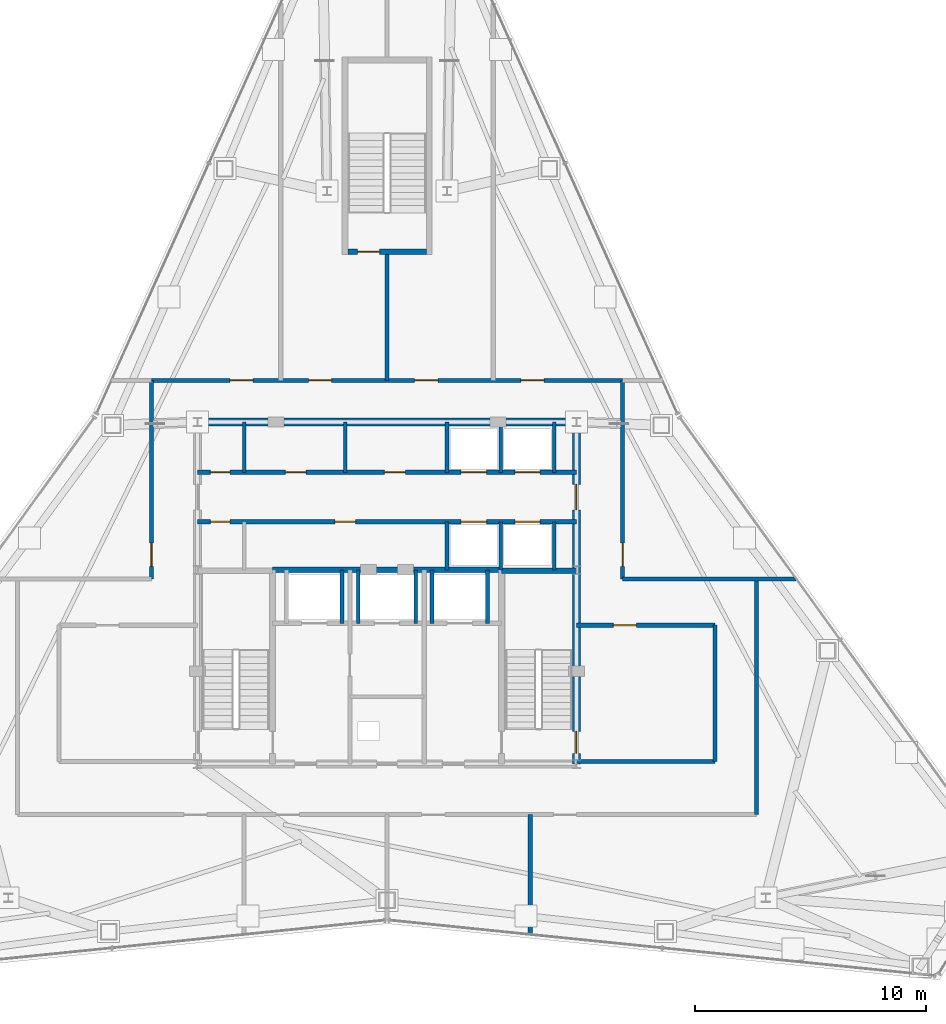
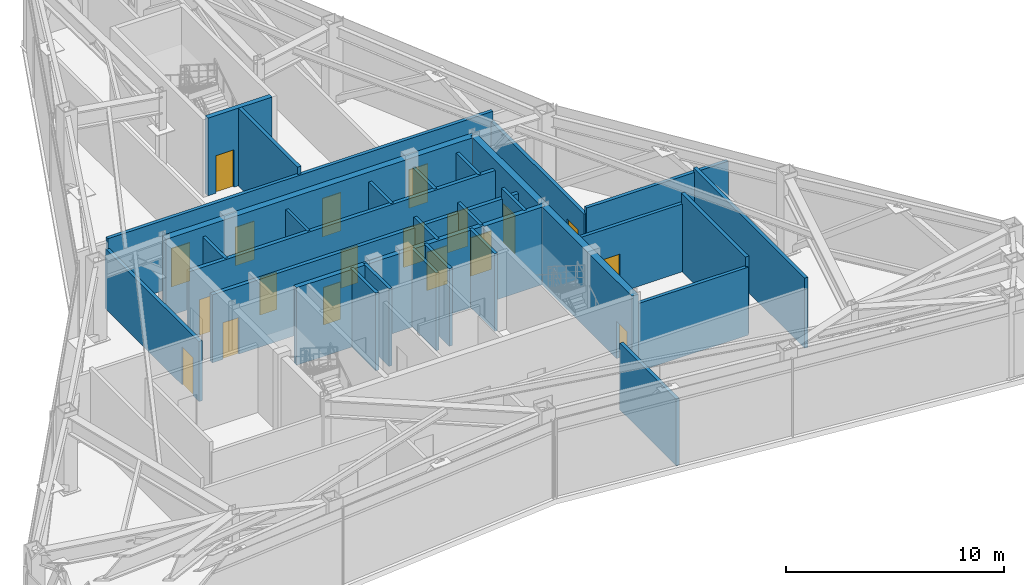
# One storey, part 10 of 12: 30 walls, 19 doors, 19 openings.
"""IFC4 building model written with IfcOpenShell, lengths in metres."""

from ifc_helpers import new_model, si_unit, direction, frame, frame_2d, origin, place, context, subcontext, project, spatial, rectangle, extrude, material, layer, layer_set, type_object, element, fill, save


model = new_model("IFC4")

# Units and contexts
model_context = context("Model", 3, precision=1e-05, world=origin(), true_north=direction((0.0, 1.0)))
body_context = subcontext(model_context, "Body", "Model", "MODEL_VIEW")
ifc_project = project(units=[si_unit("LENGTHUNIT", "METRE"), si_unit("AREAUNIT", "SQUARE_METRE"), si_unit("VOLUMEUNIT", "CUBIC_METRE"), si_unit("PLANEANGLEUNIT", "RADIAN"), si_unit("MASSUNIT", "GRAM", prefix="KILO")], contexts=[model_context])

# Site, building, storey
site_placement = place(None, origin())
site = spatial("IfcSite", under=ifc_project, at=site_placement, CompositionType="ELEMENT")
building_placement = place(site_placement, origin())
building = spatial("IfcBuilding", under=site, at=building_placement, Name="Varakhsha Concourse Tower", CompositionType="ELEMENT")
storey_placement = place(building_placement, frame((0.0, 0.0, 250.39990234375)))
storey = spatial("IfcBuildingStorey", under=building, at=storey_placement, Name="L71", CompositionType="ELEMENT", Elevation=250.39990234375)

# Wall
ifc_material_1 = material(Name="Concrete fc 65 MPa", Category="concrete")
ifc_layer_1 = layer(ifc_material_1, 0.35009765625, Name="WL-CORE-350")
ifc_layer_set_1 = layer_set([ifc_layer_1], Name="Concrete fc 65 MPa")
wall_type_1 = type_object("IfcWallType", Name="WL-CORE-350", PredefinedType="SHEAR", material=ifc_layer_set_1)
wall_1_placement = place(storey_placement, frame((31.800048828125, 31.199951171875, 0.0), z_axis=(0.0, 0.0, 1.0), x_axis=(1.0, 0.0, 0.0)))
element("IfcWall", 1, at=wall_1_placement, inside=storey, type_object=wall_type_1, Name="L71 Wall CWALL-N-L71", PredefinedType="SHEAR", context=body_context, shape_type="SweptSolid", body=[
    extrude(rectangle(XDim=16.39990234375, YDim=0.35009765625, at=frame_2d((8.199951171875, 0.0))), origin(), (0.0, 0.0, 1.0), 4.35009765625),
])

# Wall, openings, doors
wall_2_placement = place(storey_placement, frame((48.199951171875, 16.39990234375, 0.0), z_axis=(0.0, 0.0, 1.0), x_axis=(0.0, 1.0, 0.0)))
wall_2 = element("IfcWall", 2, at=wall_2_placement, inside=storey, type_object=wall_type_1, Name="L71 Wall CWALL-E-L71", PredefinedType="SHEAR", context=body_context, shape_type="SweptSolid", body=[
    extrude(rectangle(XDim=14.800048828125, YDim=0.35009765625, at=frame_2d((7.39990234375, 0.0))), origin(), (0.0, 0.0, 1.0), 4.35009765625),
])
opening_1_placement = place(wall_2_placement, frame((11.0, 0.0, 0.0)))
opening_1 = element("IfcOpeningElement", 3, at=opening_1_placement, cuts=wall_2, Name="Opening DL-01", PredefinedType="OPENING", context=body_context, shape_type="SweptSolid", body=[
    extrude(rectangle(XDim=1.10009765625, YDim=2.14990234375, at=frame_2d((0.550048828125, 1.074951171875))), frame((0.0, 0.18505859375, 0.0), z_axis=(0.0, -1.0, 0.0), x_axis=(1.0, 0.0, 0.0)), (0.0, 0.0, 1.0), 0.3701171875),
])
opening_2_placement = place(wall_2_placement, frame((0.449951171875, 0.0, 0.0)))
opening_2 = element("IfcOpeningElement", 4, at=opening_2_placement, cuts=wall_2, Name="Opening DF-03", PredefinedType="OPENING", context=body_context, shape_type="SweptSolid", body=[
    extrude(rectangle(XDim=0.949951171875, YDim=2.10009765625, at=frame_2d((0.47509765625, 1.050048828125))), frame((0.0, 0.18505859375, 0.0), z_axis=(0.0, -1.0, 0.0), x_axis=(1.0, 0.0, 0.0)), (0.0, 0.0, 1.0), 0.3701171875),
])
ifc_material_2 = material(Name="Hollow Galvanised Steel Fire Door Assembly", Category="steel")
door_type_1 = type_object("IfcDoorType", Name="DR-FD90-950", OperationType="NOTDEFINED", PredefinedType="DOOR", material=ifc_material_2)
door_1_placement = place(opening_2_placement, origin())
door_1 = element("IfcDoor", 5, at=door_1_placement, inside=storey, type_object=door_type_1, Name="L71 Area of Refuge East Stair ST2 Door", OperationType="SINGLE_SWING_RIGHT", OverallHeight=2.10009765625, OverallWidth=0.949951171875, PredefinedType="DOOR", context=body_context, shape_type="SweptSolid", body=[
    extrude(rectangle(XDim=0.949951171875, YDim=2.10009765625, at=frame_2d((0.47509765625, 1.050048828125))), frame((0.0, 0.02490234375, 0.0), z_axis=(0.0, -1.0, 0.0), x_axis=(1.0, 0.0, 0.0)), (0.0, 0.0, 1.0), 0.050048828125),
])
fill(opening_2, door_1)
ifc_material_3 = material(Name="Anodised Bronze Architectural Aluminium AA 6063-T6", Category="aluminium")
door_type_2 = type_object("IfcDoorType", Name="DR-LOB-1100", OperationType="NOTDEFINED", PredefinedType="DOOR", material=ifc_material_3)
door_2_placement = place(opening_1_placement, origin())
door_2 = element("IfcDoor", 6, at=door_2_placement, inside=storey, type_object=door_type_2, Name="L71 Lift Lobby East Concourse Door", OperationType="SINGLE_SWING_RIGHT", OverallHeight=2.14990234375, OverallWidth=1.10009765625, PredefinedType="DOOR", context=body_context, shape_type="SweptSolid", body=[
    extrude(rectangle(XDim=1.10009765625, YDim=2.14990234375, at=frame_2d((0.550048828125, 1.074951171875))), frame((0.0, 0.02490234375, 0.0), z_axis=(0.0, -1.0, 0.0), x_axis=(1.0, 0.0, 0.0)), (0.0, 0.0, 1.0), 0.050048828125),
])
fill(opening_1, door_2)

# Wall
ifc_material_4 = material(Name="Fire-Rated Type X Gypsum Partition Assembly", Category="gypsum")
ifc_layer_2 = layer(ifc_material_4, 0.14990234375, Name="WL-PART-150")
ifc_layer_set_2 = layer_set([ifc_layer_2], Name="Fire-Rated Type X Gypsum Partition Assembly")
wall_type_2 = type_object("IfcWallType", Name="WL-PART-150", PredefinedType="PARTITIONING", material=ifc_layer_set_2)
wall_3_placement = place(storey_placement, frame((38.199951171875, 29.02001953125, 0.0), z_axis=(0.0, 0.0, 1.0), x_axis=(0.0, 1.0, 0.0)))
element("IfcWall", 7, at=wall_3_placement, inside=storey, type_object=wall_type_2, Name="L71 Wall P1F-D1-L71", PredefinedType="PARTITIONING", context=body_context, shape_type="SweptSolid", body=[
    extrude(rectangle(XDim=2.179931640625, YDim=0.14990234375, at=frame_2d((1.08984375, 0.0))), origin(), (0.0, 0.0, 1.0), 3.80517578125),
])

# Wall, opening, door
ifc_layer_3 = layer(ifc_material_4, 0.179931640625, Name="WL-PART-180")
ifc_layer_set_3 = layer_set([ifc_layer_3], Name="Fire-Rated Type X Gypsum Partition Assembly")
wall_type_3 = type_object("IfcWallType", Name="WL-PART-180", PredefinedType="PARTITIONING", material=ifc_layer_set_3)
wall_4_placement = place(storey_placement, frame((29.800048828125, 24.39990234375, 0.0), z_axis=(0.0, 0.0, 1.0), x_axis=(0.0, 1.0, 0.0)))
wall_4 = element("IfcWall", 8, at=wall_4_placement, inside=storey, type_object=wall_type_3, Name="L71 Wall PCW-WW-L71", PredefinedType="PARTITIONING", context=body_context, shape_type="SweptSolid", body=[
    extrude(rectangle(XDim=8.60009765625, YDim=0.179931640625, at=frame_2d((4.300048828125, 0.0))), origin(), (0.0, 0.0, 1.0), 3.364990234375),
])
opening_3_placement = place(wall_4_placement, frame((0.550048828125, 0.0, 0.0)))
opening_3 = element("IfcOpeningElement", 9, at=opening_3_placement, cuts=wall_4, Name="Opening DF-04", PredefinedType="OPENING", context=body_context, shape_type="SweptSolid", body=[
    extrude(rectangle(XDim=1.0, YDim=2.14990234375, at=frame_2d((0.5, 1.074951171875))), frame((0.0, 0.099853515625, 0.0), z_axis=(0.0, -1.0, 0.0), x_axis=(1.0, 0.0, 0.0)), (0.0, 0.0, 1.0), 0.199951171875),
])
door_type_3 = type_object("IfcDoorType", Name="DR-FD60-1000", OperationType="NOTDEFINED", PredefinedType="DOOR", material=ifc_material_2)
door_3_placement = place(opening_3_placement, origin())
door_3 = element("IfcDoor", 10, at=door_3_placement, inside=storey, type_object=door_type_3, Name="L71 West AHU and Smoke Exhaust Plant Room Door", OperationType="SINGLE_SWING_LEFT", OverallHeight=2.14990234375, OverallWidth=1.0, PredefinedType="DOOR", context=body_context, shape_type="SweptSolid", body=[
    extrude(rectangle(XDim=1.0, YDim=2.14990234375, at=frame_2d((0.5, 1.074951171875))), frame((0.0, 0.02490234375, 0.0), z_axis=(0.0, -1.0, 0.0), x_axis=(1.0, 0.0, 0.0)), (0.0, 0.0, 1.0), 0.050048828125),
])
fill(opening_3, door_3)

# Wall, openings, doors
wall_5_placement = place(storey_placement, frame((29.800048828125, 33.0, 0.0), z_axis=(0.0, 0.0, 1.0), x_axis=(1.0, 0.0, 0.0)))
wall_5 = element("IfcWall", 11, at=wall_5_placement, inside=storey, type_object=wall_type_3, Name="L71 Wall PCW-N-L71", PredefinedType="PARTITIONING", context=body_context, shape_type="SweptSolid", body=[
    extrude(rectangle(XDim=20.39990234375, YDim=0.179931640625, at=frame_2d((10.199951171875, 0.0))), origin(), (0.0, 0.0, 1.0), 3.93310546875),
])
opening_4_placement = place(wall_5_placement, frame((3.39990234375, 0.0, 0.0)))
opening_4 = element("IfcOpeningElement", 12, at=opening_4_placement, cuts=wall_5, Name="Opening DF-04", PredefinedType="OPENING", context=body_context, shape_type="SweptSolid", body=[
    extrude(rectangle(XDim=1.0, YDim=2.14990234375, at=frame_2d((0.5, 1.074951171875))), frame((0.0, 0.099853515625, 0.0), z_axis=(0.0, -1.0, 0.0), x_axis=(1.0, 0.0, 0.0)), (0.0, 0.0, 1.0), 0.199951171875),
])
opening_5_placement = place(wall_5_placement, frame((6.800048828125, 0.0, 0.0)))
opening_5 = element("IfcOpeningElement", 13, at=opening_5_placement, cuts=wall_5, Name="Opening DF-04", PredefinedType="OPENING", context=body_context, shape_type="SweptSolid", body=[
    extrude(rectangle(XDim=1.0, YDim=2.14990234375, at=frame_2d((0.5, 1.074951171875))), frame((0.0, 0.099853515625, 0.0), z_axis=(0.0, -1.0, 0.0), x_axis=(1.0, 0.0, 0.0)), (0.0, 0.0, 1.0), 0.199951171875),
])
opening_6_placement = place(wall_5_placement, frame((11.39990234375, 0.0, 0.0)))
opening_6 = element("IfcOpeningElement", 14, at=opening_6_placement, cuts=wall_5, Name="Opening DF-04", PredefinedType="OPENING", context=body_context, shape_type="SweptSolid", body=[
    extrude(rectangle(XDim=1.0, YDim=2.14990234375, at=frame_2d((0.5, 1.074951171875))), frame((0.0, 0.099853515625, 0.0), z_axis=(0.0, -1.0, 0.0), x_axis=(1.0, 0.0, 0.0)), (0.0, 0.0, 1.0), 0.199951171875),
])
opening_7_placement = place(wall_5_placement, frame((16.0, 0.0, 0.0)))
opening_7 = element("IfcOpeningElement", 15, at=opening_7_placement, cuts=wall_5, Name="Opening DF-04", PredefinedType="OPENING", context=body_context, shape_type="SweptSolid", body=[
    extrude(rectangle(XDim=1.0, YDim=2.14990234375, at=frame_2d((0.5, 1.074951171875))), frame((0.0, 0.099853515625, 0.0), z_axis=(0.0, -1.0, 0.0), x_axis=(1.0, 0.0, 0.0)), (0.0, 0.0, 1.0), 0.199951171875),
])
door_4_placement = place(opening_4_placement, origin())
door_4 = element("IfcDoor", 16, at=door_4_placement, inside=storey, type_object=door_type_3, Name="L71 West Zonal HV Switchgear Plant Room Door", OperationType="SINGLE_SWING_LEFT", OverallHeight=2.14990234375, OverallWidth=1.0, PredefinedType="DOOR", context=body_context, shape_type="SweptSolid", body=[
    extrude(rectangle(XDim=1.0, YDim=2.14990234375, at=frame_2d((0.5, 1.074951171875))), frame((0.0, 0.02490234375, 0.0), z_axis=(0.0, -1.0, 0.0), x_axis=(1.0, 0.0, 0.0)), (0.0, 0.0, 1.0), 0.050048828125),
])
fill(opening_4, door_4)
door_5_placement = place(opening_5_placement, origin())
door_5 = element("IfcDoor", 17, at=door_5_placement, inside=storey, type_object=door_type_3, Name="L71 Step-Down Transformer Mechanical Plant Room Door", OperationType="SINGLE_SWING_LEFT", OverallHeight=2.14990234375, OverallWidth=1.0, PredefinedType="DOOR", context=body_context, shape_type="SweptSolid", body=[
    extrude(rectangle(XDim=1.0, YDim=2.14990234375, at=frame_2d((0.5, 1.074951171875))), frame((0.0, 0.02490234375, 0.0), z_axis=(0.0, -1.0, 0.0), x_axis=(1.0, 0.0, 0.0)), (0.0, 0.0, 1.0), 0.050048828125),
])
fill(opening_5, door_5)
door_6_placement = place(opening_6_placement, origin())
door_6 = element("IfcDoor", 18, at=door_6_placement, inside=storey, type_object=door_type_3, Name="L71 UPS Battery Inverter Mechanical Plant Room Door", OperationType="SINGLE_SWING_LEFT", OverallHeight=2.14990234375, OverallWidth=1.0, PredefinedType="DOOR", context=body_context, shape_type="SweptSolid", body=[
    extrude(rectangle(XDim=1.0, YDim=2.14990234375, at=frame_2d((0.5, 1.074951171875))), frame((0.0, 0.02490234375, 0.0), z_axis=(0.0, -1.0, 0.0), x_axis=(1.0, 0.0, 0.0)), (0.0, 0.0, 1.0), 0.050048828125),
])
fill(opening_6, door_6)
door_7_placement = place(opening_7_placement, origin())
door_7 = element("IfcDoor", 19, at=door_7_placement, inside=storey, type_object=door_type_3, Name="L71 Emergency Generator Control Plant Room Door", OperationType="SINGLE_SWING_LEFT", OverallHeight=2.14990234375, OverallWidth=1.0, PredefinedType="DOOR", context=body_context, shape_type="SweptSolid", body=[
    extrude(rectangle(XDim=1.0, YDim=2.14990234375, at=frame_2d((0.5, 1.074951171875))), frame((0.0, 0.02490234375, 0.0), z_axis=(0.0, -1.0, 0.0), x_axis=(1.0, 0.0, 0.0)), (0.0, 0.0, 1.0), 0.050048828125),
])
fill(opening_7, door_7)

# Wall, opening, door
wall_6_placement = place(storey_placement, frame((50.199951171875, 24.39990234375, 0.0), z_axis=(0.0, 0.0, 1.0), x_axis=(0.0, 1.0, 0.0)))
wall_6 = element("IfcWall", 20, at=wall_6_placement, inside=storey, type_object=wall_type_3, Name="L71 Wall PCW-EE-L71", PredefinedType="PARTITIONING", context=body_context, shape_type="SweptSolid", body=[
    extrude(rectangle(XDim=8.60009765625, YDim=0.179931640625, at=frame_2d((4.300048828125, 0.0))), origin(), (0.0, 0.0, 1.0), 3.364990234375),
])
opening_8_placement = place(wall_6_placement, frame((0.550048828125, 0.0, 0.0)))
opening_8 = element("IfcOpeningElement", 21, at=opening_8_placement, cuts=wall_6, Name="Opening DF-04", PredefinedType="OPENING", context=body_context, shape_type="SweptSolid", body=[
    extrude(rectangle(XDim=1.0, YDim=2.14990234375, at=frame_2d((0.5, 1.074951171875))), frame((0.0, 0.099853515625, 0.0), z_axis=(0.0, -1.0, 0.0), x_axis=(1.0, 0.0, 0.0)), (0.0, 0.0, 1.0), 0.199951171875),
])
door_8_placement = place(opening_8_placement, origin())
door_8 = element("IfcDoor", 22, at=door_8_placement, inside=storey, type_object=door_type_3, Name="L71 East Booster and Fire Standpipe Pump Plant Room Door", OperationType="SINGLE_SWING_LEFT", OverallHeight=2.14990234375, OverallWidth=1.0, PredefinedType="DOOR", context=body_context, shape_type="SweptSolid", body=[
    extrude(rectangle(XDim=1.0, YDim=2.14990234375, at=frame_2d((0.5, 1.074951171875))), frame((0.0, 0.02490234375, 0.0), z_axis=(0.0, -1.0, 0.0), x_axis=(1.0, 0.0, 0.0)), (0.0, 0.0, 1.0), 0.050048828125),
])
fill(opening_8, door_8)

# Walls
wall_7_placement = place(storey_placement, frame((56.0, 14.199951171875, 0.0), z_axis=(0.0, 0.0, 1.0), x_axis=(0.0, 1.0, 0.0)))
element("IfcWall", 23, at=wall_7_placement, inside=storey, type_object=wall_type_3, Name="L71 Wall PCW-ES-L71", PredefinedType="PARTITIONING", context=body_context, shape_type="SweptSolid", body=[
    extrude(rectangle(XDim=10.199951171875, YDim=0.179931640625, at=frame_2d((5.10009765625, 0.0))), origin(), (0.0, 0.0, 1.0), 3.93310546875),
])
wall_8_placement = place(storey_placement, frame((48.199951171875, 16.5, 0.0), z_axis=(0.0, 0.0, 1.0), x_axis=(1.0, 0.0, 0.0)))
element("IfcWall", 24, at=wall_8_placement, inside=storey, type_object=wall_type_3, Name="L71 Wall REFW-ES-L71", PredefinedType="PARTITIONING", context=body_context, shape_type="SweptSolid", body=[
    extrude(rectangle(XDim=6.0, YDim=0.179931640625, at=frame_2d((3.0, 0.0))), origin(), (0.0, 0.0, 1.0), 3.80517578125),
])

# Wall, opening, door
wall_9_placement = place(storey_placement, frame((48.199951171875, 22.39990234375, 0.0), z_axis=(0.0, 0.0, 1.0), x_axis=(1.0, 0.0, 0.0)))
wall_9 = element("IfcWall", 25, at=wall_9_placement, inside=storey, type_object=wall_type_3, Name="L71 Wall REFW-EN-L71", PredefinedType="PARTITIONING", context=body_context, shape_type="SweptSolid", body=[
    extrude(rectangle(XDim=6.0, YDim=0.179931640625, at=frame_2d((3.0, 0.0))), origin(), (0.0, 0.0, 1.0), 3.80517578125),
])
opening_9_placement = place(wall_9_placement, frame((1.60009765625, 0.0, 0.0)))
opening_9 = element("IfcOpeningElement", 26, at=opening_9_placement, cuts=wall_9, Name="Opening DF-04", PredefinedType="OPENING", context=body_context, shape_type="SweptSolid", body=[
    extrude(rectangle(XDim=1.0, YDim=2.14990234375, at=frame_2d((0.5, 1.074951171875))), frame((0.0, 0.099853515625, 0.0), z_axis=(0.0, -1.0, 0.0), x_axis=(1.0, 0.0, 0.0)), (0.0, 0.0, 1.0), 0.199951171875),
])
door_9_placement = place(opening_9_placement, origin())
door_9 = element("IfcDoor", 27, at=door_9_placement, inside=storey, type_object=door_type_3, Name="L71 Area of Refuge East Lobby Door", OperationType="SINGLE_SWING_RIGHT", OverallHeight=2.14990234375, OverallWidth=1.0, PredefinedType="DOOR", context=body_context, shape_type="SweptSolid", body=[
    extrude(rectangle(XDim=1.0, YDim=2.14990234375, at=frame_2d((0.5, 1.074951171875))), frame((0.0, 0.02490234375, 0.0), z_axis=(0.0, -1.0, 0.0), x_axis=(1.0, 0.0, 0.0)), (0.0, 0.0, 1.0), 0.050048828125),
])
fill(opening_9, door_9)

# Walls
wall_10_placement = place(storey_placement, frame((54.199951171875, 16.5, 0.0), z_axis=(0.0, 0.0, 1.0), x_axis=(0.0, 1.0, 0.0)))
element("IfcWall", 28, at=wall_10_placement, inside=storey, type_object=wall_type_3, Name="L71 Wall REFW-EE-L71", PredefinedType="PARTITIONING", context=body_context, shape_type="SweptSolid", body=[
    extrude(rectangle(XDim=5.89990234375, YDim=0.179931640625, at=frame_2d((2.949951171875, 0.0))), origin(), (0.0, 0.0, 1.0), 4.35009765625),
])
wall_11_placement = place(storey_placement, frame((50.199951171875, 24.39990234375, 0.0), z_axis=(0.0, 0.0, 1.0), x_axis=(1.0, 0.0, 0.0)))
element("IfcWall", 29, at=wall_11_placement, inside=storey, type_object=wall_type_3, Name="L71 Wall PDIV-ES-L71", PredefinedType="PARTITIONING", context=body_context, shape_type="SweptSolid", body=[
    extrude(rectangle(XDim=7.515380859375, YDim=0.179931640625, at=frame_2d((3.7578125, 0.0))), origin(), (0.0, 0.0, 1.0), 3.72802734375),
])
wall_12_placement = place(storey_placement, frame((46.199951171875, 9.010986328125, 0.0), z_axis=(0.0, 0.0, 1.0), x_axis=(0.0, 1.0, 0.0)))
element("IfcWall", 30, at=wall_12_placement, inside=storey, type_object=wall_type_3, Name="L71 Wall PDIV-S3-L71", PredefinedType="PARTITIONING", context=body_context, shape_type="SweptSolid", body=[
    extrude(rectangle(XDim=5.18896484375, YDim=0.179931640625, at=frame_2d((2.594482421875, 0.0))), origin(), (0.0, 0.0, 1.0), 3.72802734375),
])
wall_13_placement = place(storey_placement, frame((40.0, 33.0, 0.0), z_axis=(0.0, 0.0, 1.0), x_axis=(0.0, 1.0, 0.0)))
element("IfcWall", 31, at=wall_13_placement, inside=storey, type_object=wall_type_3, Name="L71 Wall PDIV-N2-L71", PredefinedType="PARTITIONING", context=body_context, shape_type="SweptSolid", body=[
    extrude(rectangle(XDim=5.449951171875, YDim=0.179931640625, at=frame_2d((2.72509765625, 0.0))), origin(), (0.0, 0.0, 1.0), 4.35009765625),
])
ifc_layer_4 = layer(ifc_material_4, 0.199951171875, Name="WL-SHAFT-220")
ifc_layer_set_4 = layer_set([ifc_layer_4], Name="Fire-Rated Type X Gypsum Partition Assembly")
wall_type_4 = type_object("IfcWallType", Name="WL-SHAFT-220", PredefinedType="SOLIDWALL", material=ifc_layer_set_4)
for number, where, z_axis, x_axis, name in (
    (32, (38.050048828125, 22.47998046875, 0.0), (0.0, 0.0, 1.0), (0.0, 1.0, 0.0), "L71 Wall SHW-FFL-1-E-L71"),
    (33, (41.949951171875, 22.47998046875, 0.0), (0.0, 0.0, 1.0), (0.0, 1.0, 0.0), "L71 Wall SHW-FFL-2-W-L71"),
    (34, (44.35009765625, 22.47998046875, 0.0), (0.0, 0.0, 1.0), (0.0, 1.0, 0.0), "L71 Wall SHW-FFL-2-E-L71"),
    (35, (38.75, 22.47998046875, 0.0), (0.0, 0.0, 1.0), (0.0, 1.0, 0.0), "L71 Wall SHW-SVL-1-W-L71"),
    (36, (41.25, 22.47998046875, 0.0), (0.0, 0.0, 1.0), (0.0, 1.0, 0.0), "L71 Wall SHW-SVL-1-E-L71"),
):
    element("IfcWall", number, at=place(storey_placement, frame(where, z_axis=z_axis, x_axis=x_axis)), inside=storey, type_object=wall_type_4, Name=name, PredefinedType="SOLIDWALL", context=body_context, shape_type="SweptSolid", body=[
        extrude(rectangle(XDim=2.320068359375, YDim=0.159912109375, at=frame_2d((1.16015625, 0.0))), origin(), (0.0, 0.0, 1.0), 4.35009765625),
    ])

# Wall, openings, doors
wall_14_placement = place(storey_placement, frame((31.800048828125, 29.02001953125, 0.0), z_axis=(0.0, 0.0, 1.0), x_axis=(1.0, 0.0, 0.0)))
wall_14 = element("IfcWall", 37, at=wall_14_placement, inside=storey, type_object=wall_type_4, Name="L71 Wall PLW-N-L71", PredefinedType="SOLIDWALL", context=body_context, shape_type="SweptSolid", body=[
    extrude(rectangle(XDim=16.39990234375, YDim=0.199951171875, at=frame_2d((8.199951171875, 0.0))), origin(), (0.0, 0.0, 1.0), 3.80517578125),
])
opening_10_placement = place(wall_14_placement, frame((0.550048828125, 0.0, 0.0)))
opening_10 = element("IfcOpeningElement", 38, at=opening_10_placement, cuts=wall_14, Name="Opening DF-07", PredefinedType="OPENING", context=body_context, shape_type="SweptSolid", body=[
    extrude(rectangle(XDim=0.85009765625, YDim=2.050048828125, at=frame_2d((0.425048828125, 1.02490234375))), frame((0.0, 0.10986328125, 0.0), z_axis=(0.0, -1.0, 0.0), x_axis=(1.0, 0.0, 0.0)), (0.0, 0.0, 1.0), 0.219970703125),
])
opening_11_placement = place(wall_14_placement, frame((3.800048828125, 0.0, 0.0)))
opening_11 = element("IfcOpeningElement", 39, at=opening_11_placement, cuts=wall_14, Name="Opening DF-06", PredefinedType="OPENING", context=body_context, shape_type="SweptSolid", body=[
    extrude(rectangle(XDim=0.89990234375, YDim=2.10009765625, at=frame_2d((0.449951171875, 1.050048828125))), frame((0.0, 0.10986328125, 0.0), z_axis=(0.0, -1.0, 0.0), x_axis=(1.0, 0.0, 0.0)), (0.0, 0.0, 1.0), 0.219970703125),
])
opening_12_placement = place(wall_14_placement, frame((8.090087890625, 0.0, 0.0)))
opening_12 = element("IfcOpeningElement", 40, at=opening_12_placement, cuts=wall_14, Name="Opening DF-06", PredefinedType="OPENING", context=body_context, shape_type="SweptSolid", body=[
    extrude(rectangle(XDim=0.89990234375, YDim=2.10009765625, at=frame_2d((0.449951171875, 1.050048828125))), frame((0.0, 0.10986328125, 0.0), z_axis=(0.0, -1.0, 0.0), x_axis=(1.0, 0.0, 0.0)), (0.0, 0.0, 1.0), 0.219970703125),
])
opening_13_placement = place(wall_14_placement, frame((11.409912109375, 0.0, 0.0)))
opening_13 = element("IfcOpeningElement", 41, at=opening_13_placement, cuts=wall_14, Name="Opening LD-LF-P09", PredefinedType="OPENING", context=body_context, shape_type="SweptSolid", body=[
    extrude(rectangle(XDim=1.10009765625, YDim=2.14990234375, at=frame_2d((0.550048828125, 1.074951171875))), frame((0.0, 0.10986328125, 0.0), z_axis=(0.0, -1.0, 0.0), x_axis=(1.0, 0.0, 0.0)), (0.0, 0.0, 1.0), 0.219970703125),
])
opening_14_placement = place(wall_14_placement, frame((13.72998046875, 0.0, 0.0)))
opening_14 = element("IfcOpeningElement", 42, at=opening_14_placement, cuts=wall_14, Name="Opening LD-LF-P10", PredefinedType="OPENING", context=body_context, shape_type="SweptSolid", body=[
    extrude(rectangle(XDim=1.10009765625, YDim=2.14990234375, at=frame_2d((0.550048828125, 1.074951171875))), frame((0.0, 0.10986328125, 0.0), z_axis=(0.0, -1.0, 0.0), x_axis=(1.0, 0.0, 0.0)), (0.0, 0.0, 1.0), 0.219970703125),
])
door_type_4 = type_object("IfcDoorType", Name="DR-FD60-850", OperationType="NOTDEFINED", PredefinedType="DOOR", material=ifc_material_2)
door_10_placement = place(opening_10_placement, origin())
door_10 = element("IfcDoor", 43, at=door_10_placement, inside=storey, type_object=door_type_4, Name="L71 Core Janitor Closet Door", OperationType="SINGLE_SWING_LEFT", OverallHeight=2.050048828125, OverallWidth=0.85009765625, PredefinedType="DOOR", context=body_context, shape_type="SweptSolid", body=[
    extrude(rectangle(XDim=0.85009765625, YDim=2.050048828125, at=frame_2d((0.425048828125, 1.02490234375))), frame((0.0, 0.02490234375, 0.0), z_axis=(0.0, -1.0, 0.0), x_axis=(1.0, 0.0, 0.0)), (0.0, 0.0, 1.0), 0.050048828125),
])
fill(opening_10, door_10)
door_type_5 = type_object("IfcDoorType", Name="DR-FD60-900", OperationType="NOTDEFINED", PredefinedType="DOOR", material=ifc_material_2)
door_11_placement = place(opening_11_placement, origin())
door_11 = element("IfcDoor", 44, at=door_11_placement, inside=storey, type_object=door_type_5, Name="L71 Tenant Archive and IT Server Room Door", OperationType="SINGLE_SWING_LEFT", OverallHeight=2.10009765625, OverallWidth=0.89990234375, PredefinedType="DOOR", context=body_context, shape_type="SweptSolid", body=[
    extrude(rectangle(XDim=0.89990234375, YDim=2.10009765625, at=frame_2d((0.449951171875, 1.050048828125))), frame((0.0, 0.02490234375, 0.0), z_axis=(0.0, -1.0, 0.0), x_axis=(1.0, 0.0, 0.0)), (0.0, 0.0, 1.0), 0.050048828125),
])
fill(opening_11, door_11)
door_12_placement = place(opening_12_placement, origin())
door_12 = element("IfcDoor", 45, at=door_12_placement, inside=storey, type_object=door_type_5, Name="L71 Core Facility Closet N1 Door", OperationType="SINGLE_SWING_RIGHT", OverallHeight=2.10009765625, OverallWidth=0.89990234375, PredefinedType="DOOR", context=body_context, shape_type="SweptSolid", body=[
    extrude(rectangle(XDim=0.89990234375, YDim=2.10009765625, at=frame_2d((0.449951171875, 1.050048828125))), frame((0.0, 0.02490234375, 0.0), z_axis=(0.0, -1.0, 0.0), x_axis=(1.0, 0.0, 0.0)), (0.0, 0.0, 1.0), 0.050048828125),
])
fill(opening_12, door_12)
ifc_material_5 = material(Name="Brushed Austenitic Stainless Steel AISI 316", Category="steel")
door_type_6 = type_object("IfcDoorType", Name="DR-LD-1100", OperationType="DOUBLE_DOOR_SLIDING", PredefinedType="DOOR", material=ifc_material_5)
door_13_placement = place(opening_13_placement, origin())
door_13 = element("IfcDoor", 46, at=door_13_placement, inside=storey, type_object=door_type_6, Name="Lift Landing Door LF-P09 L71", OperationType="DOUBLE_DOOR_SLIDING", OverallHeight=2.14990234375, OverallWidth=1.10009765625, PredefinedType="DOOR", context=body_context, shape_type="SweptSolid", body=[
    extrude(rectangle(XDim=1.10009765625, YDim=2.14990234375, at=frame_2d((0.550048828125, 1.074951171875))), frame((0.0, 0.02490234375, 0.0), z_axis=(0.0, -1.0, 0.0), x_axis=(1.0, 0.0, 0.0)), (0.0, 0.0, 1.0), 0.050048828125),
])
fill(opening_13, door_13)
door_14_placement = place(opening_14_placement, origin())
door_14 = element("IfcDoor", 47, at=door_14_placement, inside=storey, type_object=door_type_6, Name="Lift Landing Door LF-P10 L71", OperationType="DOUBLE_DOOR_SLIDING", OverallHeight=2.14990234375, OverallWidth=1.10009765625, PredefinedType="DOOR", context=body_context, shape_type="SweptSolid", body=[
    extrude(rectangle(XDim=1.10009765625, YDim=2.14990234375, at=frame_2d((0.550048828125, 1.074951171875))), frame((0.0, 0.02490234375, 0.0), z_axis=(0.0, -1.0, 0.0), x_axis=(1.0, 0.0, 0.0)), (0.0, 0.0, 1.0), 0.050048828125),
])
fill(opening_14, door_14)

wall_15_placement = place(storey_placement, frame((31.800048828125, 26.8798828125, 0.0), z_axis=(0.0, 0.0, 1.0), x_axis=(1.0, 0.0, 0.0)))
wall_15 = element("IfcWall", 48, at=wall_15_placement, inside=storey, type_object=wall_type_4, Name="L71 Wall PLW-S-L71", PredefinedType="SOLIDWALL", context=body_context, shape_type="SweptSolid", body=[
    extrude(rectangle(XDim=16.39990234375, YDim=0.199951171875, at=frame_2d((8.199951171875, 0.0))), origin(), (0.0, 0.0, 1.0), 3.80517578125),
])
opening_15_placement = place(wall_15_placement, frame((0.550048828125, 0.0, 0.0)))
opening_15 = element("IfcOpeningElement", 49, at=opening_15_placement, cuts=wall_15, Name="Opening DF-07", PredefinedType="OPENING", context=body_context, shape_type="SweptSolid", body=[
    extrude(rectangle(XDim=0.85009765625, YDim=2.050048828125, at=frame_2d((0.425048828125, 1.02490234375))), frame((0.0, 0.10986328125, 0.0), z_axis=(0.0, -1.0, 0.0), x_axis=(1.0, 0.0, 0.0)), (0.0, 0.0, 1.0), 0.219970703125),
])
opening_16_placement = place(wall_15_placement, frame((5.93994140625, 0.0, 0.0)))
opening_16 = element("IfcOpeningElement", 50, at=opening_16_placement, cuts=wall_15, Name="Opening DF-06", PredefinedType="OPENING", context=body_context, shape_type="SweptSolid", body=[
    extrude(rectangle(XDim=0.89990234375, YDim=2.10009765625, at=frame_2d((0.449951171875, 1.050048828125))), frame((0.0, 0.10986328125, 0.0), z_axis=(0.0, -1.0, 0.0), x_axis=(1.0, 0.0, 0.0)), (0.0, 0.0, 1.0), 0.219970703125),
])
opening_17_placement = place(wall_15_placement, frame((11.409912109375, 0.0, 0.0)))
opening_17 = element("IfcOpeningElement", 51, at=opening_17_placement, cuts=wall_15, Name="Opening LD-LF-P11", PredefinedType="OPENING", context=body_context, shape_type="SweptSolid", body=[
    extrude(rectangle(XDim=1.10009765625, YDim=2.14990234375, at=frame_2d((0.550048828125, 1.074951171875))), frame((0.0, 0.10986328125, 0.0), z_axis=(0.0, -1.0, 0.0), x_axis=(1.0, 0.0, 0.0)), (0.0, 0.0, 1.0), 0.219970703125),
])
opening_18_placement = place(wall_15_placement, frame((13.72998046875, 0.0, 0.0)))
opening_18 = element("IfcOpeningElement", 52, at=opening_18_placement, cuts=wall_15, Name="Opening LD-LF-P12", PredefinedType="OPENING", context=body_context, shape_type="SweptSolid", body=[
    extrude(rectangle(XDim=1.10009765625, YDim=2.14990234375, at=frame_2d((0.550048828125, 1.074951171875))), frame((0.0, 0.10986328125, 0.0), z_axis=(0.0, -1.0, 0.0), x_axis=(1.0, 0.0, 0.0)), (0.0, 0.0, 1.0), 0.219970703125),
])
door_15_placement = place(opening_15_placement, origin())
door_15 = element("IfcDoor", 53, at=door_15_placement, inside=storey, type_object=door_type_4, Name="L71 Core Telecoms Closet Door", OperationType="SINGLE_SWING_RIGHT", OverallHeight=2.050048828125, OverallWidth=0.85009765625, PredefinedType="DOOR", context=body_context, shape_type="SweptSolid", body=[
    extrude(rectangle(XDim=0.85009765625, YDim=2.050048828125, at=frame_2d((0.425048828125, 1.02490234375))), frame((0.0, 0.02490234375, 0.0), z_axis=(0.0, -1.0, 0.0), x_axis=(1.0, 0.0, 0.0)), (0.0, 0.0, 1.0), 0.050048828125),
])
fill(opening_15, door_15)
door_16_placement = place(opening_16_placement, origin())
door_16 = element("IfcDoor", 54, at=door_16_placement, inside=storey, type_object=door_type_5, Name="L71 Executive Pantry and Copy Suite Door", OperationType="SINGLE_SWING_RIGHT", OverallHeight=2.10009765625, OverallWidth=0.89990234375, PredefinedType="DOOR", context=body_context, shape_type="SweptSolid", body=[
    extrude(rectangle(XDim=0.89990234375, YDim=2.10009765625, at=frame_2d((0.449951171875, 1.050048828125))), frame((0.0, 0.02490234375, 0.0), z_axis=(0.0, -1.0, 0.0), x_axis=(1.0, 0.0, 0.0)), (0.0, 0.0, 1.0), 0.050048828125),
])
fill(opening_16, door_16)
door_17_placement = place(opening_17_placement, origin())
door_17 = element("IfcDoor", 55, at=door_17_placement, inside=storey, type_object=door_type_6, Name="Lift Landing Door LF-P11 L71", OperationType="DOUBLE_DOOR_SLIDING", OverallHeight=2.14990234375, OverallWidth=1.10009765625, PredefinedType="DOOR", context=body_context, shape_type="SweptSolid", body=[
    extrude(rectangle(XDim=1.10009765625, YDim=2.14990234375, at=frame_2d((0.550048828125, 1.074951171875))), frame((0.0, 0.02490234375, 0.0), z_axis=(0.0, -1.0, 0.0), x_axis=(1.0, 0.0, 0.0)), (0.0, 0.0, 1.0), 0.050048828125),
])
fill(opening_17, door_17)
door_18_placement = place(opening_18_placement, origin())
door_18 = element("IfcDoor", 56, at=door_18_placement, inside=storey, type_object=door_type_6, Name="Lift Landing Door LF-P12 L71", OperationType="DOUBLE_DOOR_SLIDING", OverallHeight=2.14990234375, OverallWidth=1.10009765625, PredefinedType="DOOR", context=body_context, shape_type="SweptSolid", body=[
    extrude(rectangle(XDim=1.10009765625, YDim=2.14990234375, at=frame_2d((0.550048828125, 1.074951171875))), frame((0.0, 0.02490234375, 0.0), z_axis=(0.0, -1.0, 0.0), x_axis=(1.0, 0.0, 0.0)), (0.0, 0.0, 1.0), 0.050048828125),
])
fill(opening_18, door_18)

# Walls
for number, where, z_axis, x_axis, name in (
    (57, (33.820068359375, 29.02001953125, 0.0), (0.0, 0.0, 1.0), (0.0, 1.0, 0.0), "L71 Wall WBOH-E1-L71"),
    (58, (42.60009765625, 29.02001953125, 0.0), (0.0, 0.0, 1.0), (0.0, 1.0, 0.0), "L71 Wall SHW-LF-P09-W-L71"),
    (59, (44.919921875, 29.02001953125, 0.0), (0.0, 0.0, 1.0), (0.0, 1.0, 0.0), "L71 Wall SHW-LF-P09-E-L71"),
    (60, (47.239990234375, 29.02001953125, 0.0), (0.0, 0.0, 1.0), (0.0, 1.0, 0.0), "L71 Wall SHW-LF-P10-E-L71"),
):
    element("IfcWall", number, at=place(storey_placement, frame(where, z_axis=z_axis, x_axis=x_axis)), inside=storey, type_object=wall_type_4, Name=name, PredefinedType="SOLIDWALL", context=body_context, shape_type="SweptSolid", body=[
        extrude(rectangle(XDim=2.179931640625, YDim=0.159912109375, at=frame_2d((1.08984375, 0.0))), origin(), (0.0, 0.0, 1.0), 3.80517578125),
    ])
for number, where, z_axis, x_axis, name in (
    (61, (42.60009765625, 24.800048828125, 0.0), (0.0, 0.0, 1.0), (0.0, 1.0, 0.0), "L71 Wall SHW-LF-P11-W-L71"),
    (62, (44.919921875, 24.800048828125, 0.0), (0.0, 0.0, 1.0), (0.0, 1.0, 0.0), "L71 Wall SHW-LF-P11-E-L71"),
    (63, (47.239990234375, 24.800048828125, 0.0), (0.0, 0.0, 1.0), (0.0, 1.0, 0.0), "L71 Wall SHW-LF-P12-E-L71"),
):
    element("IfcWall", number, at=place(storey_placement, frame(where, z_axis=z_axis, x_axis=x_axis)), inside=storey, type_object=wall_type_4, Name=name, PredefinedType="SOLIDWALL", context=body_context, shape_type="SweptSolid", body=[
        extrude(rectangle(XDim=2.079833984375, YDim=0.159912109375, at=frame_2d((1.0400390625, 0.0))), origin(), (0.0, 0.0, 1.0), 4.35009765625),
    ])
ifc_material_6 = material(Name="Concrete fc 45 MPa", Category="concrete")
ifc_layer_5 = layer(ifc_material_6, 0.25, Name="WL-STAIR-250")
ifc_layer_set_5 = layer_set([ifc_layer_5], Name="Concrete fc 45 MPa")
wall_type_5 = type_object("IfcWallType", Name="WL-STAIR-250", PredefinedType="SHEAR", material=ifc_layer_set_5)
wall_16_placement = place(storey_placement, frame((44.955078125, 24.7548828125, 0.0), z_axis=(0.0, 0.0, 1.0), x_axis=(1.0, 0.0, 0.0)))
element("IfcWall", 64, at=wall_16_placement, inside=storey, type_object=wall_type_5, Name="L71 Wall SWALL-ST2-N-L71", PredefinedType="SHEAR", context=body_context, shape_type="SweptSolid", body=[
    extrude(rectangle(XDim=3.244873046875, YDim=0.25, at=frame_2d((1.62255859375, 0.0))), origin(), (0.0, 0.0, 1.0), 4.35009765625),
])
wall_17_placement = place(storey_placement, frame((35.044921875, 24.800048828125, 0.0), z_axis=(0.0, 0.0, 1.0), x_axis=(1.0, 0.0, 0.0)))
element("IfcWall", 65, at=wall_17_placement, inside=storey, type_object=wall_type_5, Name="L71 Wall SWALL-MID-H-L71", PredefinedType="SHEAR", context=body_context, shape_type="SweptSolid", body=[
    extrude(rectangle(XDim=9.91015625, YDim=0.25, at=frame_2d((4.955078125, 0.0))), origin(), (0.0, 0.0, 1.0), 4.35009765625),
])

# Wall, opening, door
wall_18_placement = place(storey_placement, frame((38.300048828125, 38.574951171875, 0.0), z_axis=(0.0, 0.0, 1.0), x_axis=(1.0, 0.0, 0.0)))
wall_18 = element("IfcWall", 66, at=wall_18_placement, inside=storey, type_object=wall_type_5, Name="L71 Wall SWALL-ST5-S-L71", PredefinedType="SHEAR", context=body_context, shape_type="SweptSolid", body=[
    extrude(rectangle(XDim=3.39990234375, YDim=0.25, at=frame_2d((1.699951171875, 0.0))), origin(), (0.0, 0.0, 1.0), 4.35009765625),
])
opening_19_placement = place(wall_18_placement, frame((0.425048828125, 0.0, 0.0)))
opening_19 = element("IfcOpeningElement", 67, at=opening_19_placement, cuts=wall_18, Name="Opening DF-03", PredefinedType="OPENING", context=body_context, shape_type="SweptSolid", body=[
    extrude(rectangle(XDim=0.949951171875, YDim=2.10009765625, at=frame_2d((0.47509765625, 1.050048828125))), frame((0.0, 0.135009765625, 0.0), z_axis=(0.0, -1.0, 0.0), x_axis=(1.0, 0.0, 0.0)), (0.0, 0.0, 1.0), 0.27001953125),
])
door_19_placement = place(opening_19_placement, origin())
door_19 = element("IfcDoor", 68, at=door_19_placement, inside=storey, type_object=door_type_1, Name="L71 Stair ST5 Fire Door", OperationType="SINGLE_SWING_RIGHT", OverallHeight=2.10009765625, OverallWidth=0.949951171875, PredefinedType="DOOR", context=body_context, shape_type="SweptSolid", body=[
    extrude(rectangle(XDim=0.949951171875, YDim=2.10009765625, at=frame_2d((0.47509765625, 1.050048828125))), frame((0.0, 0.02490234375, 0.0), z_axis=(0.0, -1.0, 0.0), x_axis=(1.0, 0.0, 0.0)), (0.0, 0.0, 1.0), 0.050048828125),
])
fill(opening_19, door_19)

save(model, "model.ifc")
